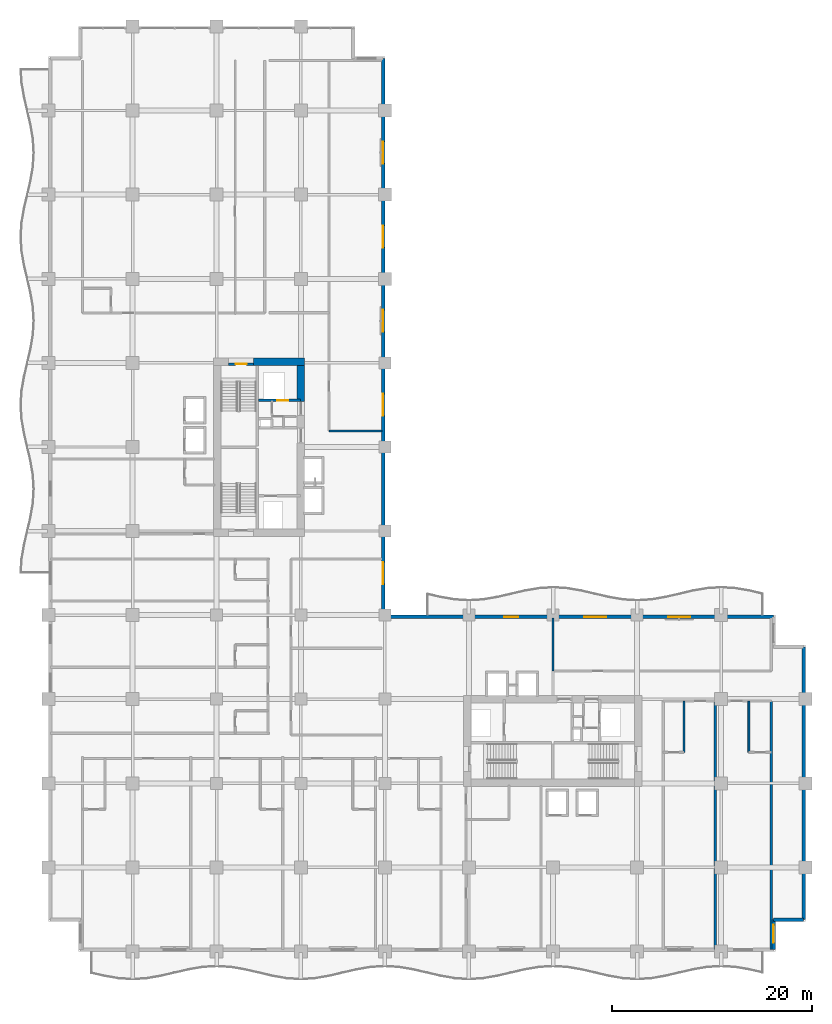
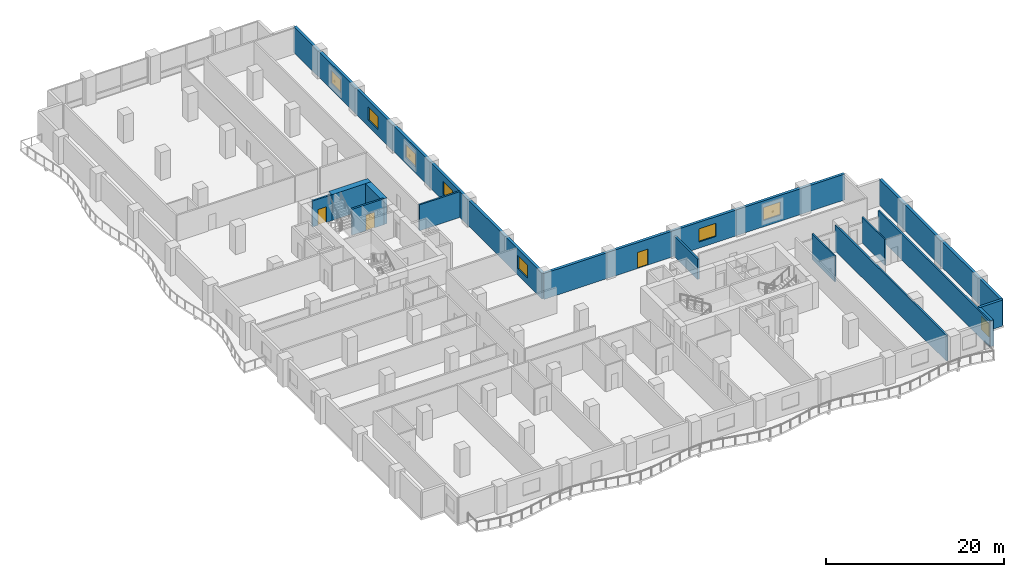
# One storey, part 12 of 21: 15 walls, 8 windows, 3 doors, 11 openings.
"""IFC4 building model written with IfcOpenShell, lengths in metres."""

import ifcopenshell
import ifcopenshell.guid

model = None  # the IFC model being written
_history = None  # IfcOwnerHistory: only IFC2X3 demands one
_inside = {}  # id of a spatial element -> (the spatial element, [elements in it])
_under = {}  # id of a project, library or spatial element -> (it, [spatial elements below it])
_declared = {}  # id of a project -> (the project, [libraries it declares])
_typed = {}  # id of a type object -> (the type object, [elements of that type])
_made_of = {}  # id of a material, layer set ... -> (it, [elements and type objects made of it])


def new_model(schema):
    """Start an empty IFC model of exactly this schema.

    Asked for "IFC4X3", IfcOpenShell would pick the latest addendum, in which some entities
    have other attributes; the version numbers below select the first issue.
    IFC2X3 requires an IfcOwnerHistory on every rooted entity: one is made here for all.
    """
    global model, _history
    if schema == "IFC4X3":
        model = ifcopenshell.file(schema_version=(4, 3, 0, 0))
    else:
        model = ifcopenshell.file(schema=schema)
    _inside.clear()
    _under.clear()
    _declared.clear()
    _typed.clear()
    _made_of.clear()
    _history = None
    if model.schema == "IFC2X3":
        org = make("IfcOrganization", Name="unknown")
        user = make(
            "IfcPersonAndOrganization",
            ThePerson=make("IfcPerson", FamilyName="unknown"),
            TheOrganization=org,
        )
        app = make(
            "IfcApplication",
            ApplicationDeveloper=org,
            Version="unknown",
            ApplicationFullName="unknown",
            ApplicationIdentifier="unknown",
        )
        _history = make(
            "IfcOwnerHistory",
            OwningUser=user,
            OwningApplication=app,
            ChangeAction="ADDED",
            CreationDate=0,
        )
    return model


def make(cls, **values):
    """One entity of the class cls with the attributes given. An attribute that is None is left unset."""
    return model.create_entity(
        cls, **{name: value for name, value in values.items() if value is not None}
    )


def rooted(cls, **values):
    """An entity with a GlobalId (a new one), such as an element, a storey or a relation."""
    return make(cls, GlobalId=ifcopenshell.guid.new(), OwnerHistory=_history, **values)


def si_unit(unit_type, name, prefix=None):
    """IfcSIUnit, for example si_unit("LENGTHUNIT", "METRE", prefix="MILLI")."""
    return make("IfcSIUnit", UnitType=unit_type, Prefix=prefix, Name=name)


def assignment(units):
    """IfcUnitAssignment: the units of a project."""
    return None if units is None else make("IfcUnitAssignment", Units=units)


def point(xyz):
    """IfcCartesianPoint."""
    return None if xyz is None else make("IfcCartesianPoint", Coordinates=xyz)


def direction(xyz):
    """IfcDirection."""
    return None if xyz is None else make("IfcDirection", DirectionRatios=xyz)


def frame(location, z_axis=None, x_axis=None):
    """IfcAxis2Placement3D, a coordinate frame: its origin and axes. An axis left out is left unset."""
    return make(
        "IfcAxis2Placement3D",
        Location=point(location),
        Axis=direction(z_axis),
        RefDirection=direction(x_axis),
    )


def frame_2d(location, x_axis=None):
    """IfcAxis2Placement2D, a coordinate frame in the plane: its origin and x axis."""
    return make(
        "IfcAxis2Placement2D", Location=point(location), RefDirection=direction(x_axis)
    )


def origin():
    """The frame at (0, 0, 0) with its axes left unset."""
    return frame((0.0, 0.0, 0.0))


def place(relative_to, where):
    """IfcLocalPlacement: puts the frame where relative to a parent placement (None: the world)."""
    return make(
        "IfcLocalPlacement", PlacementRelTo=relative_to, RelativePlacement=where
    )


def context(
    kind, dimensions, precision=None, world=None, true_north=None, identifier=None
):
    """IfcGeometricRepresentationContext, for example the 3D "Model" context."""
    return make(
        "IfcGeometricRepresentationContext",
        ContextIdentifier=identifier,
        ContextType=kind,
        CoordinateSpaceDimension=dimensions,
        Precision=precision,
        WorldCoordinateSystem=world,
        TrueNorth=true_north,
    )


def subcontext(parent, identifier, kind, view, scale=None):
    """IfcGeometricRepresentationSubContext, for example "Body" below "Model"."""
    return make(
        "IfcGeometricRepresentationSubContext",
        ContextIdentifier=identifier,
        ContextType=kind,
        ParentContext=parent,
        TargetScale=scale,
        TargetView=view,
    )


def project(units=None, contexts=None):
    """IfcProject with its units and contexts."""
    return rooted(
        "IfcProject",
        Name="project",
        RepresentationContexts=contexts,
        UnitsInContext=assignment(units),
    )


def spatial(cls, under=None, at=None, **own):
    """A site, building, storey or space (cls), placed at a placement, below another one or the project."""
    s = rooted(cls, ObjectPlacement=at, **own)
    if under is not None:
        _under.setdefault(under.id(), (under, []))[1].append(s)
    return s


def profile(cls, at=None, kind="AREA", **sizes):
    """A parametric profile (cls). Its sizes go by their IFC names, for example OverallWidth=200.0."""
    return make(cls, ProfileType=kind, Position=at, **sizes)


def rectangle(**sizes):
    """IfcRectangleProfileDef."""
    return profile("IfcRectangleProfileDef", **sizes)


def extrude(swept, where, along, depth):
    """IfcExtrudedAreaSolid: the profile swept, set in the frame where, extruded along a direction by depth."""
    return make(
        "IfcExtrudedAreaSolid",
        SweptArea=swept,
        Position=where,
        ExtrudedDirection=direction(along),
        Depth=depth,
    )


def shape(context_of_items, identifier, shape_type, items):
    """IfcShapeRepresentation: the items that make up one representation, for example the "Body"."""
    return make(
        "IfcShapeRepresentation",
        ContextOfItems=context_of_items,
        RepresentationIdentifier=identifier,
        RepresentationType=shape_type,
        Items=items,
    )


def material(Name=None, Category=None):
    """IfcMaterial."""
    return make("IfcMaterial", Name=Name, Category=Category)


def layer(
    of_material, thickness, ventilated=None, Name=None, Category=None, Priority=None
):
    """IfcMaterialLayer: one layer of a wall or slab, of a material (None: an air gap)."""
    return make(
        "IfcMaterialLayer",
        Material=of_material,
        LayerThickness=thickness,
        IsVentilated=ventilated,
        Name=Name,
        Category=Category,
        Priority=Priority,
    )


def layer_set(layers, Name=None):
    """IfcMaterialLayerSet."""
    return make("IfcMaterialLayerSet", MaterialLayers=layers, LayerSetName=Name)


def made_of(thing, what):
    """Note that an element or type object is made of a material, layer set ...; save() writes the relation."""
    if what is not None:
        _made_of.setdefault(what.id(), (what, []))[1].append(thing)
    return thing


def type_object(cls, material=None, **own):
    """A type object (cls), such as IfcWallType, which elements share."""
    return made_of(rooted(cls, **own), material)


def element(
    cls,
    number,
    at=None,
    inside=None,
    cuts=None,
    type_object=None,
    material=None,
    context=None,
    identifier="Body",
    shape_type=None,
    held_by="IfcProductDefinitionShape",
    body=None,
    shapes=None,
    **own,
):
    """One element of the class cls, such as IfcWall. Its Tag is "e" and its number.

    at: its placement. inside: the storey or other place that contains it. cuts: it is an
    opening in that element (IfcRelVoidsElement). A single representation is given by context,
    identifier, shape_type and body (its items); several are given by shapes. held_by: the class
    of the entity that holds the representations. save() writes the other relations.
    """
    e = rooted(cls, Tag="e%d" % number, ObjectPlacement=at, **own)
    if body is not None:
        shapes = [shape(context, identifier, shape_type, body)]
    if shapes is not None:
        e.Representation = make(held_by, Representations=shapes)
    if inside is not None:
        _inside.setdefault(inside.id(), (inside, []))[1].append(e)
    if cuts is not None:
        rooted(
            "IfcRelVoidsElement", RelatingBuildingElement=cuts, RelatedOpeningElement=e
        )
    if type_object is not None:
        _typed.setdefault(type_object.id(), (type_object, []))[1].append(e)
    return made_of(e, material)


def fill(opening, filler):
    """IfcRelFillsElement: the door or window that sits in an opening."""
    return rooted(
        "IfcRelFillsElement",
        RelatingOpeningElement=opening,
        RelatedBuildingElement=filler,
    )


def aggregate(whole, parts):
    """IfcRelAggregates: a whole, such as a stair, and the parts it consists of."""
    return rooted("IfcRelAggregates", RelatingObject=whole, RelatedObjects=parts)


def save(model, path):
    """Write the relations noted so far, then the file.

    IfcRelAggregates (storeys below a building ...), IfcRelContainedInSpatialStructure (elements
    in a storey), IfcRelDefinesByType, IfcRelAssociatesMaterial and IfcRelDeclares: one each for
    every whole, place, type object, material and project.
    """
    for whole, parts in _under.values():
        aggregate(whole, parts)
    for where, things in _inside.values():
        rooted(
            "IfcRelContainedInSpatialStructure",
            RelatedElements=things,
            RelatingStructure=where,
        )
    for kind, things in _typed.values():
        rooted("IfcRelDefinesByType", RelatedObjects=things, RelatingType=kind)
    for what, things in _made_of.values():
        rooted("IfcRelAssociatesMaterial", RelatedObjects=things, RelatingMaterial=what)
    for by, libraries in _declared.values():
        rooted("IfcRelDeclares", RelatingContext=by, RelatedDefinitions=libraries)
    model.write(path)


model = new_model("IFC4")

# Units and contexts
model_context = context("Model", 3, precision=1e-05, world=origin(), true_north=direction((0.0, 1.0)))
body_context = subcontext(model_context, "Body", "Model", "MODEL_VIEW")
ifc_project = project(units=[si_unit("LENGTHUNIT", "METRE"), si_unit("AREAUNIT", "SQUARE_METRE"), si_unit("VOLUMEUNIT", "CUBIC_METRE"), si_unit("PLANEANGLEUNIT", "RADIAN"), si_unit("MASSUNIT", "GRAM", prefix="KILO")], contexts=[model_context])

# Site, building, storey
site_placement = place(None, origin())
site = spatial("IfcSite", under=ifc_project, at=site_placement, CompositionType="ELEMENT")
building_placement = place(site_placement, origin())
building = spatial("IfcBuilding", under=site, at=building_placement, Name="Koriwani Terraces Tower", CompositionType="ELEMENT")
storey_placement = place(building_placement, frame((0.0, 0.0, 111.39990234375)))
storey = spatial("IfcBuildingStorey", under=building, at=storey_placement, Name="L26", CompositionType="ELEMENT", Elevation=111.39990234375)

# Walls
ifc_material_1 = material(Name="Concrete C60/75", Category="concrete")
ifc_layer_1 = layer(ifc_material_1, 0.75, Name="Concrete C60/75")
ifc_layer_set_1 = layer_set([ifc_layer_1], Name="Concrete C60/75")
wall_type_1 = type_object("IfcWallType", Name="WALL_CORE_RC_750", PredefinedType="SHEAR", material=ifc_layer_set_1)
wall_1_placement = place(storey_placement, frame((20.5, 58.925048828125, 0.0), z_axis=(0.0, 0.0, 1.0), x_axis=(1.0, 0.0, 0.0)))
element("IfcWall", 1, at=wall_1_placement, inside=storey, type_object=wall_type_1, Name="L26 West Split Core Shear Wall N2", PredefinedType="SHEAR", context=body_context, shape_type="SweptSolid", body=[
    extrude(rectangle(XDim=5.074951171875, YDim=0.75, at=frame_2d((2.53759765625, 0.0))), origin(), (0.0, 0.0, 1.0), 3.550048828125),
])
wall_2_placement = place(storey_placement, frame((25.199951171875, 54.949951171875, 0.0), z_axis=(0.0, 0.0, 1.0), x_axis=(0.0, 1.0, 0.0)))
element("IfcWall", 2, at=wall_2_placement, inside=storey, type_object=wall_type_1, Name="L26 West Split Core Shear Wall E3", PredefinedType="SHEAR", context=body_context, shape_type="SweptSolid", body=[
    extrude(rectangle(XDim=3.60009765625, YDim=0.75, at=frame_2d((1.800048828125, 0.0))), origin(), (0.0, 0.0, 1.0), 3.550048828125),
])
ifc_material_2 = material(Name="Autoclaved Cellular Concrete Blockwork", Category="masonry")
ifc_layer_2 = layer(ifc_material_2, 0.219970703125, Name="Autoclaved Cellular Concrete Blockwork")
ifc_layer_set_2 = layer_set([ifc_layer_2], Name="Autoclaved Cellular Concrete Blockwork")
wall_type_2 = type_object("IfcWallType", Name="WALL_DEMISING_220", PredefinedType="PARTITIONING", material=ifc_layer_set_2)
wall_3_placement = place(storey_placement, frame((28.0, 52.0, 0.0), z_axis=(0.0, 0.0, 1.0), x_axis=(1.0, 0.0, 0.0)))
element("IfcWall", 3, at=wall_3_placement, inside=storey, type_object=wall_type_2, Name="L26 Interior Wall WNWT2-S-L26", PredefinedType="PARTITIONING", context=body_context, shape_type="SweptSolid", body=[
    extrude(rectangle(XDim=5.300048828125, YDim=0.219970703125, at=frame_2d((2.64990234375, 0.0))), origin(), (0.0, 0.0, 1.0), 3.550048828125),
])
for number, where, z_axis, x_axis, name in (
    (4, (66.60009765625, 0.199951171875, 0.0), (0.0, 0.0, 1.0), (0.0, 1.0, 0.0), "L26 Interior Wall WDEM-L26-SE-1"),
    (5, (72.199951171875, 0.199951171875, 0.0), (0.0, 0.0, 1.0), (0.0, 1.0, 0.0), "L26 Interior Wall WDEME-L26-SE"),
):
    element("IfcWall", number, at=place(storey_placement, frame(where, z_axis=z_axis, x_axis=x_axis)), inside=storey, type_object=wall_type_2, Name=name, PredefinedType="PARTITIONING", context=body_context, shape_type="SweptSolid", body=[
        extrude(rectangle(XDim=24.97998046875, YDim=0.219970703125, at=frame_2d((12.489990234375, 0.0))), origin(), (0.0, 0.0, 1.0), 3.550048828125),
    ])
wall_4_placement = place(storey_placement, frame((50.39990234375, 28.0, 0.0), z_axis=(0.0, 0.0, 1.0), x_axis=(0.0, 1.0, 0.0)))
element("IfcWall", 6, at=wall_4_placement, inside=storey, type_object=wall_type_2, Name="L26 Interior Wall WSEC-W-L26", PredefinedType="PARTITIONING", context=body_context, shape_type="SweptSolid", body=[
    extrude(rectangle(XDim=5.300048828125, YDim=0.219970703125, at=frame_2d((2.64990234375, 0.0))), origin(), (0.0, 0.0, 1.0), 2.800048828125),
])

# Wall, openings, windows
ifc_material_3 = material(Name="Concrete C50/60", Category="concrete")
ifc_layer_3 = layer(ifc_material_3, 0.35009765625, Name="Concrete C50/60")
ifc_layer_set_3 = layer_set([ifc_layer_3], Name="Concrete C50/60")
wall_type_3 = type_object("IfcWallType", Name="WALL_EXT_BRUTALIST_350", PredefinedType="STANDARD", material=ifc_layer_set_3)
wall_5_placement = place(storey_placement, frame((33.425048828125, 89.22509765625, 0.0), z_axis=(0.0, 0.0, 1.0), x_axis=(0.0, -1.0, 0.0)))
wall_5 = element("IfcWall", 7, at=wall_5_placement, inside=storey, type_object=wall_type_3, Name="L26 Fair-Faced Brutalist Exterior Wall (NW_IN)", PredefinedType="STANDARD", context=body_context, shape_type="SweptSolid", body=[
    extrude(rectangle(XDim=55.800048828125, YDim=0.35009765625, at=frame_2d((27.89990234375, 0.0))), origin(), (0.0, 0.0, 1.0), 3.550048828125),
])
opening_1_placement = place(wall_5_placement, frame((50.324951171875, 0.0, 0.85009765625)))
opening_1 = element("IfcOpeningElement", 8, at=opening_1_placement, cuts=wall_5, Name="Opening W-01", PredefinedType="OPENING", context=body_context, shape_type="SweptSolid", body=[
    extrude(rectangle(XDim=2.199951171875, YDim=1.800048828125, at=frame_2d((1.10009765625, 0.89990234375))), frame((0.0, 0.18505859375, 0.0), z_axis=(0.0, -1.0, 0.0), x_axis=(1.0, 0.0, 0.0)), (0.0, 0.0, 1.0), 0.3701171875),
])
opening_2_placement = place(wall_5_placement, frame((33.52490234375, 0.0, 0.85009765625)))
opening_2 = element("IfcOpeningElement", 9, at=opening_2_placement, cuts=wall_5, Name="Opening W-01", PredefinedType="OPENING", context=body_context, shape_type="SweptSolid", body=[
    extrude(rectangle(XDim=2.199951171875, YDim=1.800048828125, at=frame_2d((1.10009765625, 0.89990234375))), frame((0.0, 0.18505859375, 0.0), z_axis=(0.0, -1.0, 0.0), x_axis=(1.0, 0.0, 0.0)), (0.0, 0.0, 1.0), 0.3701171875),
])
opening_3_placement = place(wall_5_placement, frame((25.125, 0.0, 0.85009765625)))
opening_3 = element("IfcOpeningElement", 10, at=opening_3_placement, cuts=wall_5, Name="Opening W-01", PredefinedType="OPENING", context=body_context, shape_type="SweptSolid", body=[
    extrude(rectangle(XDim=2.199951171875, YDim=1.800048828125, at=frame_2d((1.10009765625, 0.89990234375))), frame((0.0, 0.18505859375, 0.0), z_axis=(0.0, -1.0, 0.0), x_axis=(1.0, 0.0, 0.0)), (0.0, 0.0, 1.0), 0.3701171875),
])
opening_4_placement = place(wall_5_placement, frame((16.72509765625, 0.0, 0.85009765625)))
opening_4 = element("IfcOpeningElement", 11, at=opening_4_placement, cuts=wall_5, Name="Opening W-01", PredefinedType="OPENING", context=body_context, shape_type="SweptSolid", body=[
    extrude(rectangle(XDim=2.199951171875, YDim=1.800048828125, at=frame_2d((1.10009765625, 0.89990234375))), frame((0.0, 0.18505859375, 0.0), z_axis=(0.0, -1.0, 0.0), x_axis=(1.0, 0.0, 0.0)), (0.0, 0.0, 1.0), 0.3701171875),
])
opening_5_placement = place(wall_5_placement, frame((8.324951171875, 0.0, 0.85009765625)))
opening_5 = element("IfcOpeningElement", 12, at=opening_5_placement, cuts=wall_5, Name="Opening W-01", PredefinedType="OPENING", context=body_context, shape_type="SweptSolid", body=[
    extrude(rectangle(XDim=2.199951171875, YDim=1.800048828125, at=frame_2d((1.10009765625, 0.89990234375))), frame((0.0, 0.18505859375, 0.0), z_axis=(0.0, -1.0, 0.0), x_axis=(1.0, 0.0, 0.0)), (0.0, 0.0, 1.0), 0.3701171875),
])
ifc_material_4 = material(Name="Tempered Laminated Low-E Glass", Category="glass")
window_type_1 = type_object("IfcWindowType", Name="WIN_HOTEL_STD_2200X1800", PartitioningType="DOUBLE_PANEL_VERTICAL", PredefinedType="WINDOW", material=ifc_material_4)
window_1_placement = place(opening_1_placement, origin())
window_1 = element("IfcWindow", 13, at=window_1_placement, inside=storey, type_object=window_type_1, Name="L26 Exterior Window (NW_IN-2)", OverallHeight=1.800048828125, OverallWidth=2.199951171875, PartitioningType="SINGLE_PANEL", PredefinedType="WINDOW", context=body_context, shape_type="SweptSolid", body=[
    extrude(rectangle(XDim=2.199951171875, YDim=1.800048828125, at=frame_2d((1.10009765625, 0.89990234375))), frame((0.0, 0.030029296875, 0.0), z_axis=(0.0, -1.0, 0.0), x_axis=(1.0, 0.0, 0.0)), (0.0, 0.0, 1.0), 0.06005859375),
])
fill(opening_1, window_1)
window_2_placement = place(opening_2_placement, origin())
window_2 = element("IfcWindow", 14, at=window_2_placement, inside=storey, type_object=window_type_1, Name="L26 Exterior Window (NW_IN-8)", OverallHeight=1.800048828125, OverallWidth=2.199951171875, PartitioningType="SINGLE_PANEL", PredefinedType="WINDOW", context=body_context, shape_type="SweptSolid", body=[
    extrude(rectangle(XDim=2.199951171875, YDim=1.800048828125, at=frame_2d((1.10009765625, 0.89990234375))), frame((0.0, 0.030029296875, 0.0), z_axis=(0.0, -1.0, 0.0), x_axis=(1.0, 0.0, 0.0)), (0.0, 0.0, 1.0), 0.06005859375),
])
fill(opening_2, window_2)
window_3_placement = place(opening_3_placement, origin())
window_3 = element("IfcWindow", 15, at=window_3_placement, inside=storey, type_object=window_type_1, Name="L26 Exterior Window (NW_IN-11)", OverallHeight=1.800048828125, OverallWidth=2.199951171875, PartitioningType="SINGLE_PANEL", PredefinedType="WINDOW", context=body_context, shape_type="SweptSolid", body=[
    extrude(rectangle(XDim=2.199951171875, YDim=1.800048828125, at=frame_2d((1.10009765625, 0.89990234375))), frame((0.0, 0.030029296875, 0.0), z_axis=(0.0, -1.0, 0.0), x_axis=(1.0, 0.0, 0.0)), (0.0, 0.0, 1.0), 0.06005859375),
])
fill(opening_3, window_3)
window_4_placement = place(opening_4_placement, origin())
window_4 = element("IfcWindow", 16, at=window_4_placement, inside=storey, type_object=window_type_1, Name="L26 Exterior Window (NW_IN-14)", OverallHeight=1.800048828125, OverallWidth=2.199951171875, PartitioningType="SINGLE_PANEL", PredefinedType="WINDOW", context=body_context, shape_type="SweptSolid", body=[
    extrude(rectangle(XDim=2.199951171875, YDim=1.800048828125, at=frame_2d((1.10009765625, 0.89990234375))), frame((0.0, 0.030029296875, 0.0), z_axis=(0.0, -1.0, 0.0), x_axis=(1.0, 0.0, 0.0)), (0.0, 0.0, 1.0), 0.06005859375),
])
fill(opening_4, window_4)
window_5_placement = place(opening_5_placement, origin())
window_5 = element("IfcWindow", 17, at=window_5_placement, inside=storey, type_object=window_type_1, Name="L26 Exterior Window (NW_IN-17)", OverallHeight=1.800048828125, OverallWidth=2.199951171875, PartitioningType="SINGLE_PANEL", PredefinedType="WINDOW", context=body_context, shape_type="SweptSolid", body=[
    extrude(rectangle(XDim=2.199951171875, YDim=1.800048828125, at=frame_2d((1.10009765625, 0.89990234375))), frame((0.0, 0.030029296875, 0.0), z_axis=(0.0, -1.0, 0.0), x_axis=(1.0, 0.0, 0.0)), (0.0, 0.0, 1.0), 0.06005859375),
])
fill(opening_5, window_5)

# Wall, openings, door, windows
wall_6_placement = place(storey_placement, frame((33.425048828125, 33.425048828125, 0.0), z_axis=(0.0, 0.0, 1.0), x_axis=(1.0, 0.0, 0.0)))
wall_6 = element("IfcWall", 18, at=wall_6_placement, inside=storey, type_object=wall_type_3, Name="L26 Fair-Faced Brutalist Exterior Wall (NE)", PredefinedType="STANDARD", context=body_context, shape_type="SweptSolid", body=[
    extrude(rectangle(XDim=39.0, YDim=0.35009765625, at=frame_2d((19.5, 0.0))), origin(), (0.0, 0.0, 1.0), 3.550048828125),
])
opening_6_placement = place(wall_6_placement, frame((12.074951171875, 0.0, 0.0)))
opening_6 = element("IfcOpeningElement", 19, at=opening_6_placement, cuts=wall_6, Name="Opening D-09", PredefinedType="OPENING", context=body_context, shape_type="SweptSolid", body=[
    extrude(rectangle(XDim=1.39990234375, YDim=2.199951171875, at=frame_2d((0.699951171875, 1.10009765625))), frame((0.0, 0.18505859375, 0.0), z_axis=(0.0, -1.0, 0.0), x_axis=(1.0, 0.0, 0.0)), (0.0, 0.0, 1.0), 0.3701171875),
])
opening_7_placement = place(wall_6_placement, frame((20.074951171875, 0.0, 0.85009765625)))
opening_7 = element("IfcOpeningElement", 20, at=opening_7_placement, cuts=wall_6, Name="Opening W-01", PredefinedType="OPENING", context=body_context, shape_type="SweptSolid", body=[
    extrude(rectangle(XDim=2.199951171875, YDim=1.800048828125, at=frame_2d((1.10009765625, 0.89990234375))), frame((0.0, 0.18505859375, 0.0), z_axis=(0.0, -1.0, 0.0), x_axis=(1.0, 0.0, 0.0)), (0.0, 0.0, 1.0), 0.3701171875),
])
opening_8_placement = place(wall_6_placement, frame((28.47509765625, 0.0, 0.85009765625)))
opening_8 = element("IfcOpeningElement", 21, at=opening_8_placement, cuts=wall_6, Name="Opening W-01", PredefinedType="OPENING", context=body_context, shape_type="SweptSolid", body=[
    extrude(rectangle(XDim=2.199951171875, YDim=1.800048828125, at=frame_2d((1.10009765625, 0.89990234375))), frame((0.0, 0.18505859375, 0.0), z_axis=(0.0, -1.0, 0.0), x_axis=(1.0, 0.0, 0.0)), (0.0, 0.0, 1.0), 0.3701171875),
])
ifc_material_5 = material(Name="Anodised Bronze Aluminium", Category="aluminium")
door_type_1 = type_object("IfcDoorType", Name="DOOR_BALCONY_GLAZED_1400X2200", OperationType="NOTDEFINED", PredefinedType="DOOR", material=ifc_material_5)
door_1_placement = place(opening_6_placement, origin())
door_1 = element("IfcDoor", 22, at=door_1_placement, inside=storey, type_object=door_type_1, Name="L26 Inner Court Balcony Glazed Door", OperationType="SINGLE_SWING_LEFT", OverallHeight=2.199951171875, OverallWidth=1.39990234375, PredefinedType="DOOR", context=body_context, shape_type="SweptSolid", body=[
    extrude(rectangle(XDim=1.39990234375, YDim=2.199951171875, at=frame_2d((0.699951171875, 1.10009765625))), frame((0.0, 0.02490234375, 0.0), z_axis=(0.0, -1.0, 0.0), x_axis=(1.0, 0.0, 0.0)), (0.0, 0.0, 1.0), 0.050048828125),
])
fill(opening_6, door_1)
window_6_placement = place(opening_7_placement, origin())
window_6 = element("IfcWindow", 23, at=window_6_placement, inside=storey, type_object=window_type_1, Name="L26 Exterior Window (NE-8)", OverallHeight=1.800048828125, OverallWidth=2.199951171875, PartitioningType="SINGLE_PANEL", PredefinedType="WINDOW", context=body_context, shape_type="SweptSolid", body=[
    extrude(rectangle(XDim=2.199951171875, YDim=1.800048828125, at=frame_2d((1.10009765625, 0.89990234375))), frame((0.0, 0.030029296875, 0.0), z_axis=(0.0, -1.0, 0.0), x_axis=(1.0, 0.0, 0.0)), (0.0, 0.0, 1.0), 0.06005859375),
])
fill(opening_7, window_6)
window_7_placement = place(opening_8_placement, origin())
window_7 = element("IfcWindow", 24, at=window_7_placement, inside=storey, type_object=window_type_1, Name="L26 Exterior Window (NE-11)", OverallHeight=1.800048828125, OverallWidth=2.199951171875, PartitioningType="SINGLE_PANEL", PredefinedType="WINDOW", context=body_context, shape_type="SweptSolid", body=[
    extrude(rectangle(XDim=2.199951171875, YDim=1.800048828125, at=frame_2d((1.10009765625, 0.89990234375))), frame((0.0, 0.030029296875, 0.0), z_axis=(0.0, -1.0, 0.0), x_axis=(1.0, 0.0, 0.0)), (0.0, 0.0, 1.0), 0.06005859375),
])
fill(opening_8, window_7)

# Walls
wall_7_placement = place(storey_placement, frame((75.425048828125, 30.425048828125, 0.0), z_axis=(0.0, 0.0, 1.0), x_axis=(0.0, -1.0, 0.0)))
element("IfcWall", 25, at=wall_7_placement, inside=storey, type_object=wall_type_3, Name="L26 Fair-Faced Brutalist Exterior Wall (E_TIP)", PredefinedType="STANDARD", context=body_context, shape_type="SweptSolid", body=[
    extrude(rectangle(XDim=27.25, YDim=0.35009765625, at=frame_2d((13.625, 0.0))), origin(), (0.0, 0.0, 1.0), 3.550048828125),
])
wall_8_placement = place(storey_placement, frame((75.425048828125, 3.175048828125, 0.0), z_axis=(0.0, 0.0, 1.0), x_axis=(-1.0, 0.0, 0.0)))
element("IfcWall", 26, at=wall_8_placement, inside=storey, type_object=wall_type_3, Name="L26 Fair-Faced Brutalist Exterior Wall (N13)", PredefinedType="STANDARD", context=body_context, shape_type="SweptSolid", body=[
    extrude(rectangle(XDim=3.0, YDim=0.35009765625, at=frame_2d((1.5, 0.0))), origin(), (0.0, 0.0, 1.0), 3.550048828125),
])

# Wall, opening, window
wall_9_placement = place(storey_placement, frame((72.425048828125, 3.175048828125, 0.0), z_axis=(0.0, 0.0, 1.0), x_axis=(0.0, -1.0, 0.0)))
wall_9 = element("IfcWall", 27, at=wall_9_placement, inside=storey, type_object=wall_type_3, Name="L26 Fair-Faced Brutalist Exterior Wall (N14)", PredefinedType="STANDARD", context=body_context, shape_type="SweptSolid", body=[
    extrude(rectangle(XDim=3.0, YDim=0.35009765625, at=frame_2d((1.5, 0.0))), origin(), (0.0, 0.0, 1.0), 3.550048828125),
])
opening_9_placement = place(wall_9_placement, frame((0.5224609375, 0.0, 0.85009765625)))
opening_9 = element("IfcOpeningElement", 28, at=opening_9_placement, cuts=wall_9, Name="Opening W-04", PredefinedType="OPENING", context=body_context, shape_type="SweptSolid", body=[
    extrude(rectangle(XDim=1.800048828125, YDim=1.800048828125, at=frame_2d((0.89990234375, 0.89990234375))), frame((0.0, 0.18505859375, 0.0), z_axis=(0.0, -1.0, 0.0), x_axis=(1.0, 0.0, 0.0)), (0.0, 0.0, 1.0), 0.3701171875),
])
window_type_2 = type_object("IfcWindowType", Name="WIN_RES_BED_1800X1800", PartitioningType="DOUBLE_PANEL_VERTICAL", PredefinedType="WINDOW", material=ifc_material_4)
window_8_placement = place(opening_9_placement, origin())
window_8 = element("IfcWindow", 29, at=window_8_placement, inside=storey, type_object=window_type_2, Name="L26 Exterior Window (N14-R52)", OverallHeight=1.800048828125, OverallWidth=1.800048828125, PartitioningType="SINGLE_PANEL", PredefinedType="WINDOW", context=body_context, shape_type="SweptSolid", body=[
    extrude(rectangle(XDim=1.800048828125, YDim=1.800048828125, at=frame_2d((0.89990234375, 0.89990234375))), frame((0.0, 0.030029296875, 0.0), z_axis=(0.0, -1.0, 0.0), x_axis=(1.0, 0.0, 0.0)), (0.0, 0.0, 1.0), 0.06005859375),
])
fill(opening_9, window_8)

# Walls
ifc_material_6 = material(Name="Fire-Rated Acoustic Gypsum Partition", Category="masonry")
ifc_layer_4 = layer(ifc_material_6, 0.179931640625, Name="Fire-Rated Acoustic Gypsum Partition")
ifc_layer_set_4 = layer_set([ifc_layer_4], Name="Fire-Rated Acoustic Gypsum Partition")
wall_type_4 = type_object("IfcWallType", Name="WALL_PLUMBING_180", PredefinedType="PLUMBINGWALL", material=ifc_layer_set_4)
for number, where, z_axis, x_axis, name in (
    (30, (63.47998046875, 19.89990234375, 0.0), (0.0, 0.0, 1.0), (0.0, 1.0, 0.0), "L26 Interior Wall WBTH2-L26-SE-0"),
    (31, (69.9599609375, 19.89990234375, 0.0), (0.0, 0.0, 1.0), (0.0, 1.0, 0.0), "L26 Interior Wall WBTH2-L26-SE-1"),
):
    element("IfcWall", number, at=place(storey_placement, frame(where, z_axis=z_axis, x_axis=x_axis)), inside=storey, type_object=wall_type_4, Name=name, PredefinedType="PLUMBINGWALL", context=body_context, shape_type="SweptSolid", body=[
        extrude(rectangle(XDim=5.10009765625, YDim=0.179931640625, at=frame_2d((2.550048828125, 0.0))), origin(), (0.0, 0.0, 1.0), 3.550048828125),
    ])

# Wall, opening, door
ifc_material_7 = material(Name="Concrete C40/50", Category="concrete")
ifc_layer_5 = layer(ifc_material_7, 0.25, Name="Concrete C40/50")
ifc_layer_set_5 = layer_set([ifc_layer_5], Name="Concrete C40/50")
wall_type_5 = type_object("IfcWallType", Name="WALL_SHAFT_RATED_250", PredefinedType="SOLIDWALL", material=ifc_layer_set_5)
wall_10_placement = place(storey_placement, frame((18.0, 58.675048828125, 0.0), z_axis=(0.0, 0.0, 1.0), x_axis=(1.0, 0.0, 0.0)))
wall_10 = element("IfcWall", 32, at=wall_10_placement, inside=storey, type_object=wall_type_5, Name="L26 Interior Wall WIN-CW-L26-STN", PredefinedType="SOLIDWALL", context=body_context, shape_type="SweptSolid", body=[
    extrude(rectangle(XDim=2.5, YDim=0.25, at=frame_2d((1.25, 0.0))), origin(), (0.0, 0.0, 1.0), 3.550048828125),
])
opening_10_placement = place(wall_10_placement, frame((0.699951171875, 0.0, 0.0)))
opening_10 = element("IfcOpeningElement", 33, at=opening_10_placement, cuts=wall_10, Name="Opening D-03", PredefinedType="OPENING", context=body_context, shape_type="SweptSolid", body=[
    extrude(rectangle(XDim=1.10009765625, YDim=2.14990234375, at=frame_2d((0.550048828125, 1.074951171875))), frame((0.0, 0.135009765625, 0.0), z_axis=(0.0, -1.0, 0.0), x_axis=(1.0, 0.0, 0.0)), (0.0, 0.0, 1.0), 0.27001953125),
])
ifc_material_8 = material(Name="Steel ASTM A572 Grade 50", Category="steel")
door_type_2 = type_object("IfcDoorType", Name="DOOR_STAIR_FIRE_1100X2150", OperationType="NOTDEFINED", PredefinedType="DOOR", material=ifc_material_8)
door_2_placement = place(opening_10_placement, origin())
door_2 = element("IfcDoor", 34, at=door_2_placement, inside=storey, type_object=door_type_2, Name="L26 Exit Stair ST-W2 Door", OperationType="SINGLE_SWING_LEFT", OverallHeight=2.14990234375, OverallWidth=1.10009765625, PredefinedType="DOOR", context=body_context, shape_type="SweptSolid", body=[
    extrude(rectangle(XDim=1.10009765625, YDim=2.14990234375, at=frame_2d((0.550048828125, 1.074951171875))), frame((0.0, 0.02490234375, 0.0), z_axis=(0.0, -1.0, 0.0), x_axis=(1.0, 0.0, 0.0)), (0.0, 0.0, 1.0), 0.050048828125),
])
fill(opening_10, door_2)

wall_11_placement = place(storey_placement, frame((21.0, 55.050048828125, 0.0), z_axis=(0.0, 0.0, 1.0), x_axis=(1.0, 0.0, 0.0)))
wall_11 = element("IfcWall", 35, at=wall_11_placement, inside=storey, type_object=wall_type_5, Name="L26 Interior Wall WIN-CW-L26-SE", PredefinedType="SOLIDWALL", context=body_context, shape_type="SweptSolid", body=[
    extrude(rectangle(XDim=4.14990234375, YDim=0.25, at=frame_2d((2.074951171875, 0.0))), origin(), (0.0, 0.0, 1.0), 3.550048828125),
])
opening_11_placement = place(wall_11_placement, frame((1.85009765625, 0.0, 0.0)))
opening_11 = element("IfcOpeningElement", 36, at=opening_11_placement, cuts=wall_11, Name="Opening LD-01", PredefinedType="OPENING", context=body_context, shape_type="SweptSolid", body=[
    extrude(rectangle(XDim=1.10009765625, YDim=2.14990234375, at=frame_2d((0.550048828125, 1.074951171875))), frame((0.0, 0.135009765625, 0.0), z_axis=(0.0, -1.0, 0.0), x_axis=(1.0, 0.0, 0.0)), (0.0, 0.0, 1.0), 0.27001953125),
])
door_type_3 = type_object("IfcDoorType", Name="DOOR_LIFT_LANDING_1100X2200", OperationType="NOTDEFINED", PredefinedType="DOOR", material=ifc_material_8)
door_3_placement = place(opening_11_placement, origin())
door_3 = element("IfcDoor", 37, at=door_3_placement, inside=storey, type_object=door_type_3, Name="L26 Goods Lift SE-01 Landing Door", OperationType="SLIDING_TO_LEFT", OverallHeight=2.14990234375, OverallWidth=1.10009765625, PredefinedType="DOOR", context=body_context, shape_type="SweptSolid", body=[
    extrude(rectangle(XDim=1.10009765625, YDim=2.14990234375, at=frame_2d((0.550048828125, 1.074951171875))), frame((0.0, 0.02490234375, 0.0), z_axis=(0.0, -1.0, 0.0), x_axis=(1.0, 0.0, 0.0)), (0.0, 0.0, 1.0), 0.050048828125),
])
fill(opening_11, door_3)

save(model, "model.ifc")
